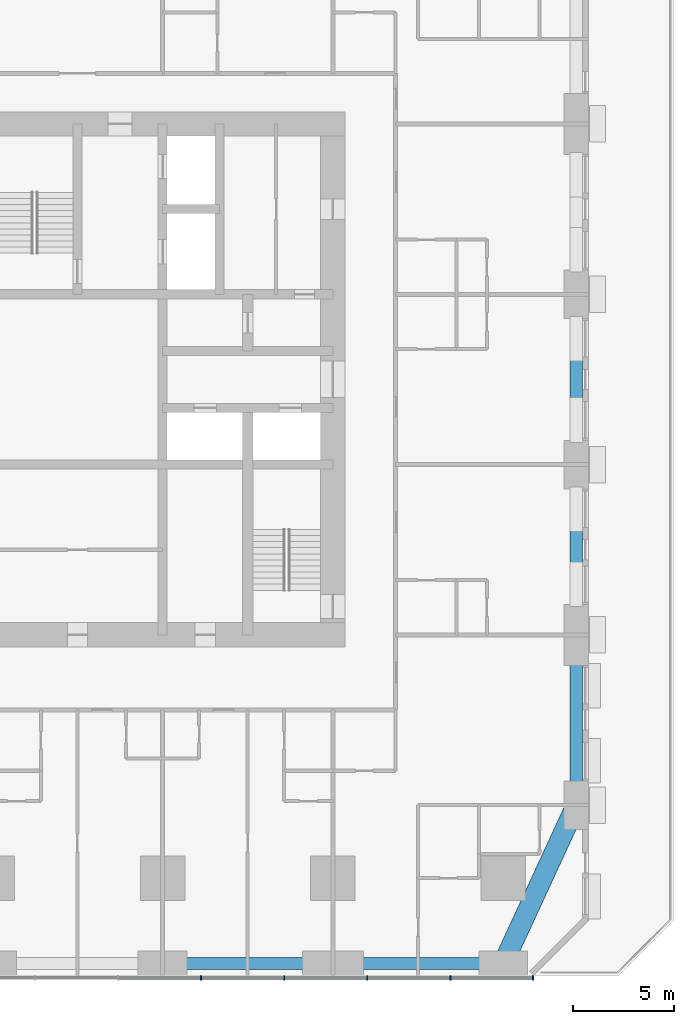
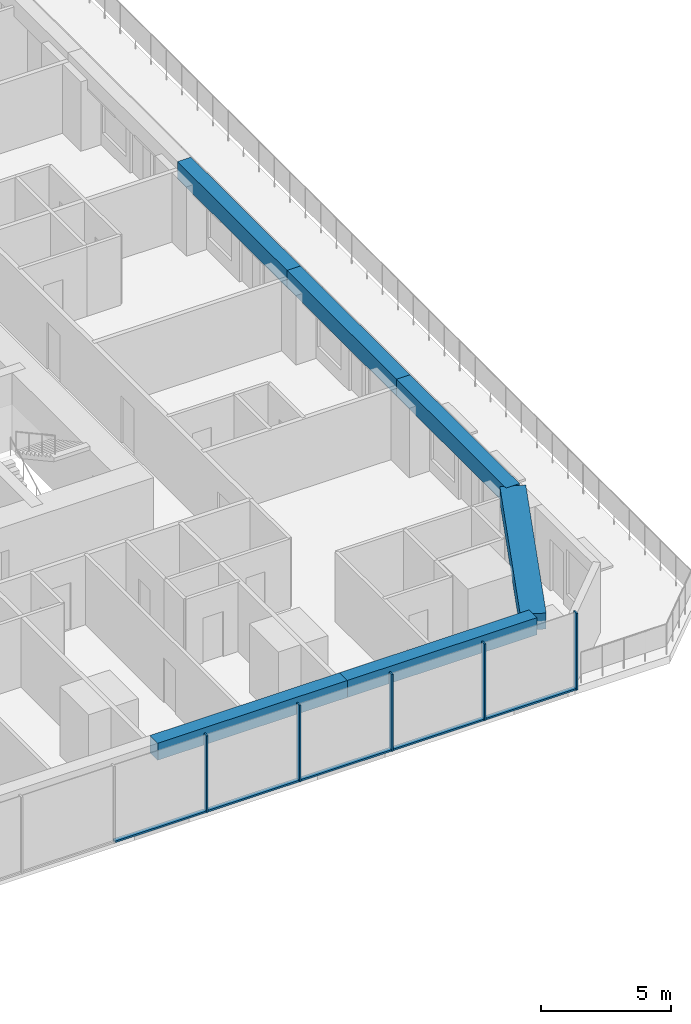
# One storey, part 4 of 16: 10 members, 6 beams, 1 element without a shape of its own.
"""IFC4 building model written with IfcOpenShell, lengths in metres."""

from ifc_helpers import new_model, si_unit, direction, frame, origin, origin_2d, place, context, subcontext, project, spatial, rectangle, extrude, material, material_profile, profile_set, type_object, element, aggregate, save


model = new_model("IFC4")

# Units and contexts
model_context = context("Model", 3, precision=1e-05, world=origin(), true_north=direction((0.0, 1.0)))
body_context = subcontext(model_context, "Body", "Model", "MODEL_VIEW")
ifc_project = project(units=[si_unit("LENGTHUNIT", "METRE"), si_unit("AREAUNIT", "SQUARE_METRE"), si_unit("VOLUMEUNIT", "CUBIC_METRE"), si_unit("PLANEANGLEUNIT", "RADIAN"), si_unit("MASSUNIT", "GRAM", prefix="KILO")], contexts=[model_context])

# Site, building, storey
site_placement = place(None, origin())
site = spatial("IfcSite", under=ifc_project, at=site_placement, CompositionType="ELEMENT")
building_placement = place(site_placement, origin())
building = spatial("IfcBuilding", under=site, at=building_placement, Name="Dunama Terrace Hotel", CompositionType="ELEMENT")
storey_placement = place(building_placement, frame((0.0, 0.0, 93.60009765625)))
storey = spatial("IfcBuildingStorey", under=building, at=storey_placement, Name="L23", CompositionType="ELEMENT", Elevation=93.60009765625)

# Curtain wall, members
ifc_material_1 = material(Name="Aluminium curtain wall system", Category="aluminium")
curtain_wall_type = type_object("IfcCurtainWallType", Name="Unitised fritted glass wall CW-B", PredefinedType="NOTDEFINED", material=ifc_material_1)
curtain_wall_placement = place(storey_placement, origin())
curtain_wall = element("IfcCurtainWall", 1, at=curtain_wall_placement, inside=storey, type_object=curtain_wall_type, Name="Unitised fritted glass wall CW-B L23", PredefinedType="NOTDEFINED")
ifc_material_2 = material(Name="Aluminium mullion", Category="aluminium")
ifc_material_profile_1 = material_profile(ifc_material_2, rectangle(XDim=0.06494140625, YDim=0.219970703125, at=origin_2d()), Name="CWB MULLION 65X220")
ifc_profile_set_1 = profile_set([ifc_material_profile_1], Name="Aluminium mullion")
member_type_1 = type_object("IfcMemberType", Name="CWB mullion 65x220", PredefinedType="MULLION", material=ifc_profile_set_1)
member_1_placement = place(storey_placement, frame((35.5, -0.110107421875, 0.0), z_axis=(0.0, 0.0, 1.0), x_axis=(1.0, 0.0, 0.0)))
member_1 = element("IfcMember", 2, at=member_1_placement, type_object=member_type_1, Name="CWB mullion", PredefinedType="MULLION", context=body_context, shape_type="SweptSolid", body=[
    extrude(rectangle(XDim=0.06494140625, YDim=0.219970703125, at=origin_2d()), origin(), (0.0, 0.0, 1.0), 3.599853515625),
])
member_2_placement = place(storey_placement, frame((39.60009765625, -0.110107421875, 0.0), z_axis=(0.0, 0.0, 1.0), x_axis=(1.0, 0.0, 0.0)))
member_2 = element("IfcMember", 3, at=member_2_placement, type_object=member_type_1, Name="CWB mullion", PredefinedType="MULLION", context=body_context, shape_type="SweptSolid", body=[
    extrude(rectangle(XDim=0.06494140625, YDim=0.219970703125, at=origin_2d()), origin(), (0.0, 0.0, 1.0), 3.599853515625),
])
member_3_placement = place(storey_placement, frame((43.699951171875, -0.110107421875, 0.0), z_axis=(0.0, 0.0, 1.0), x_axis=(1.0, 0.0, 0.0)))
member_3 = element("IfcMember", 4, at=member_3_placement, type_object=member_type_1, Name="CWB mullion", PredefinedType="MULLION", context=body_context, shape_type="SweptSolid", body=[
    extrude(rectangle(XDim=0.06494140625, YDim=0.219970703125, at=origin_2d()), origin(), (0.0, 0.0, 1.0), 3.599853515625),
])
member_4_placement = place(storey_placement, frame((47.800048828125, -0.110107421875, 0.0), z_axis=(0.0, 0.0, 1.0), x_axis=(1.0, 0.0, 0.0)))
member_4 = element("IfcMember", 5, at=member_4_placement, type_object=member_type_1, Name="CWB mullion", PredefinedType="MULLION", context=body_context, shape_type="SweptSolid", body=[
    extrude(rectangle(XDim=0.06494140625, YDim=0.219970703125, at=origin_2d()), origin(), (0.0, 0.0, 1.0), 3.599853515625),
])
member_5_placement = place(storey_placement, frame((51.866943359375, -0.110107421875, 0.0), z_axis=(0.0, 0.0, 1.0), x_axis=(1.0, 0.0, 0.0)))
member_5 = element("IfcMember", 6, at=member_5_placement, type_object=member_type_1, Name="CWB mullion", PredefinedType="MULLION", context=body_context, shape_type="SweptSolid", body=[
    extrude(rectangle(XDim=0.06494140625, YDim=0.219970703125, at=origin_2d()), origin(), (0.0, 0.0, 1.0), 3.599853515625),
])
ifc_material_3 = material(Name="Aluminium transom", Category="aluminium")
ifc_material_profile_2 = material_profile(ifc_material_3, rectangle(XDim=0.179931640625, YDim=0.080078125, at=origin_2d()), Name="CWB TRANSOM 180X80")
ifc_profile_set_2 = profile_set([ifc_material_profile_2], Name="Aluminium transom")
member_type_2 = type_object("IfcMemberType", Name="CWB transom 180x80", PredefinedType="USERDEFINED", material=ifc_profile_set_2)
member_6_placement = place(storey_placement, frame((31.431884765625, -0.110107421875, 0.039794921875), z_axis=(1.0, 0.0, 0.0), x_axis=(0.0, 1.0, 0.0)))
member_6 = element("IfcMember", 7, at=member_6_placement, type_object=member_type_2, Name="CWB transom", ObjectType="TRANSOM", PredefinedType="USERDEFINED", context=body_context, shape_type="SweptSolid", body=[
    extrude(rectangle(XDim=0.179931640625, YDim=0.080078125, at=origin_2d()), origin(), (0.0, 0.0, 1.0), 4.0361328125),
])
member_7_placement = place(storey_placement, frame((35.531982421875, -0.110107421875, 0.039794921875), z_axis=(1.0, 0.0, 0.0), x_axis=(0.0, 1.0, 0.0)))
member_7 = element("IfcMember", 8, at=member_7_placement, type_object=member_type_2, Name="CWB transom", ObjectType="TRANSOM", PredefinedType="USERDEFINED", context=body_context, shape_type="SweptSolid", body=[
    extrude(rectangle(XDim=0.179931640625, YDim=0.080078125, at=origin_2d()), origin(), (0.0, 0.0, 1.0), 4.0361328125),
])
member_8_placement = place(storey_placement, frame((39.633056640625, -0.110107421875, 0.039794921875), z_axis=(1.0, 0.0, 0.0), x_axis=(0.0, 1.0, 0.0)))
member_8 = element("IfcMember", 9, at=member_8_placement, type_object=member_type_2, Name="CWB transom", ObjectType="TRANSOM", PredefinedType="USERDEFINED", context=body_context, shape_type="SweptSolid", body=[
    extrude(rectangle(XDim=0.179931640625, YDim=0.080078125, at=origin_2d()), origin(), (0.0, 0.0, 1.0), 4.034912109375),
])
member_9_placement = place(storey_placement, frame((43.73291015625, -0.110107421875, 0.039794921875), z_axis=(1.0, 0.0, 0.0), x_axis=(0.0, 1.0, 0.0)))
member_9 = element("IfcMember", 10, at=member_9_placement, type_object=member_type_2, Name="CWB transom", ObjectType="TRANSOM", PredefinedType="USERDEFINED", context=body_context, shape_type="SweptSolid", body=[
    extrude(rectangle(XDim=0.179931640625, YDim=0.080078125, at=origin_2d()), origin(), (0.0, 0.0, 1.0), 4.0341796875),
])
member_10_placement = place(storey_placement, frame((47.83203125, -0.110107421875, 0.039794921875), z_axis=(1.0, 0.0, 0.0), x_axis=(0.0, 1.0, 0.0)))
member_10 = element("IfcMember", 11, at=member_10_placement, type_object=member_type_2, Name="CWB transom", ObjectType="TRANSOM", PredefinedType="USERDEFINED", context=body_context, shape_type="SweptSolid", body=[
    extrude(rectangle(XDim=0.179931640625, YDim=0.080078125, at=origin_2d()), origin(), (0.0, 0.0, 1.0), 4.0029296875),
])
aggregate(curtain_wall, [member_1, member_2, member_3, member_4, member_5, member_6, member_7, member_8, member_9, member_10])

# Beams
ifc_material_4 = material(Name="Concrete C50/60", Category="concrete")
ifc_material_profile_3 = material_profile(ifc_material_4, rectangle(XDim=1.0, YDim=0.75, at=origin_2d()), Name="RC 1000x750")
ifc_profile_set_3 = profile_set([ifc_material_profile_3], Name="Concrete C50/60")
beam_type_1 = type_object("IfcBeamType", Name="Edge beam RC 1000x750", PredefinedType="SPANDREL", material=ifc_profile_set_3)
beam_1_placement = place(storey_placement, frame((50.39990234375, 0.60009765625, 3.224853515625), z_axis=(0.419076199598, 0.907951066374, 0.0), x_axis=(-0.907951066374, 0.419076199598, 0.0)))
element("IfcBeam", 12, at=beam_1_placement, inside=storey, type_object=beam_type_1, Name="Corner edge beam under L24", PredefinedType="SPANDREL", context=body_context, shape_type="SweptSolid", body=[
    extrude(rectangle(XDim=1.0, YDim=0.75, at=origin_2d()), origin(), (0.0, 0.0, 1.0), 8.590576171875),
])
ifc_material_5 = material(Name="Concrete C40/50", Category="concrete")
ifc_material_profile_4 = material_profile(ifc_material_5, rectangle(XDim=0.60009765625, YDim=0.800048828125, at=origin_2d()), Name="RC 600x800")
ifc_profile_set_4 = profile_set([ifc_material_profile_4], Name="Concrete C40/50")
beam_type_2 = type_object("IfcBeamType", Name="Edge beam RC 600x800", PredefinedType="SPANDREL", material=ifc_profile_set_4)
beam_2_placement = place(storey_placement, frame((54.0, 8.39990234375, 3.199951171875), z_axis=(0.0, 1.0, 0.0), x_axis=(-1.0, 0.0, 0.0)))
element("IfcBeam", 13, at=beam_2_placement, inside=storey, type_object=beam_type_2, Name="Edge beam under L24", PredefinedType="SPANDREL", context=body_context, shape_type="SweptSolid", body=[
    extrude(rectangle(XDim=0.60009765625, YDim=0.800048828125, at=origin_2d()), origin(), (0.0, 0.0, 1.0), 8.400146484375),
])
beam_3_placement = place(storey_placement, frame((54.0, 16.800048828125, 3.199951171875), z_axis=(0.0, 1.0, 0.0), x_axis=(-1.0, 0.0, 0.0)))
element("IfcBeam", 14, at=beam_3_placement, inside=storey, type_object=beam_type_2, Name="Edge beam under L24", PredefinedType="SPANDREL", context=body_context, shape_type="SweptSolid", body=[
    extrude(rectangle(XDim=0.60009765625, YDim=0.800048828125, at=origin_2d()), origin(), (0.0, 0.0, 1.0), 8.39990234375),
])
beam_4_placement = place(storey_placement, frame((54.0, 25.199951171875, 3.199951171875), z_axis=(0.0, 1.0, 0.0), x_axis=(-1.0, 0.0, 0.0)))
element("IfcBeam", 15, at=beam_4_placement, inside=storey, type_object=beam_type_2, Name="Edge beam under L24", PredefinedType="SPANDREL", context=body_context, shape_type="SweptSolid", body=[
    extrude(rectangle(XDim=0.60009765625, YDim=0.800048828125, at=origin_2d()), origin(), (0.0, 0.0, 1.0), 8.400146484375),
])
for number, where, z_axis, x_axis, name in (
    (16, (33.60009765625, 0.60009765625, 3.199951171875), (1.0, 0.0, 0.0), (0.0, 1.0, 0.0), "Edge beam under L24"),
    (17, (42.0, 0.60009765625, 3.199951171875), (1.0, 0.0, 0.0), (0.0, 1.0, 0.0), "Edge beam under L24"),
):
    element("IfcBeam", number, at=place(storey_placement, frame(where, z_axis=z_axis, x_axis=x_axis)), inside=storey, type_object=beam_type_2, Name=name, PredefinedType="SPANDREL", context=body_context, shape_type="SweptSolid", body=[
        extrude(rectangle(XDim=0.60009765625, YDim=0.800048828125, at=origin_2d()), origin(), (0.0, 0.0, 1.0), 8.39990234375),
    ])

save(model, "model.ifc")
